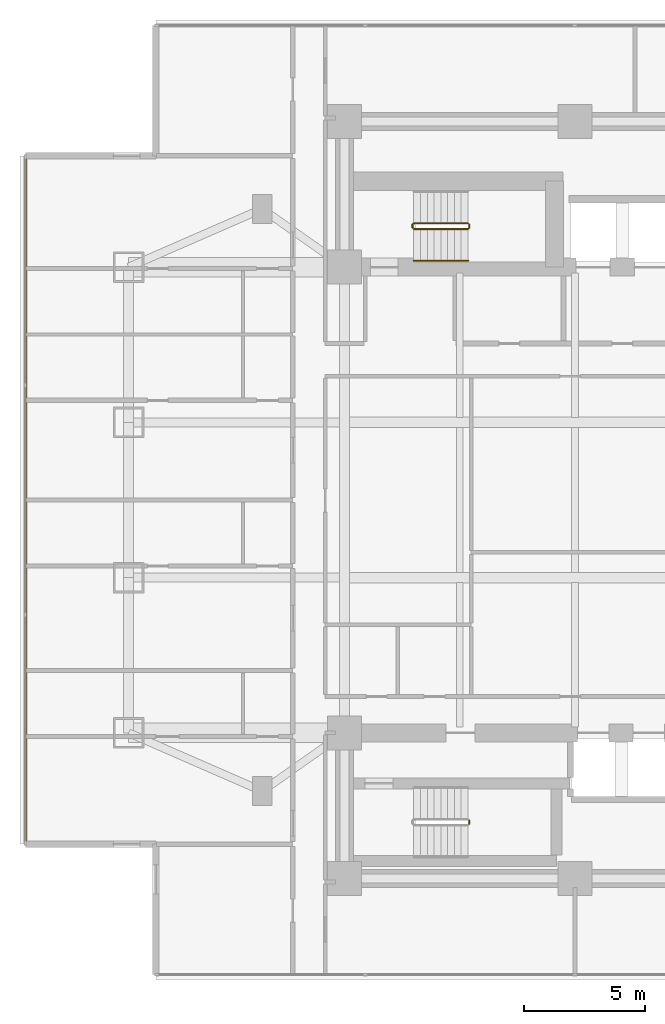
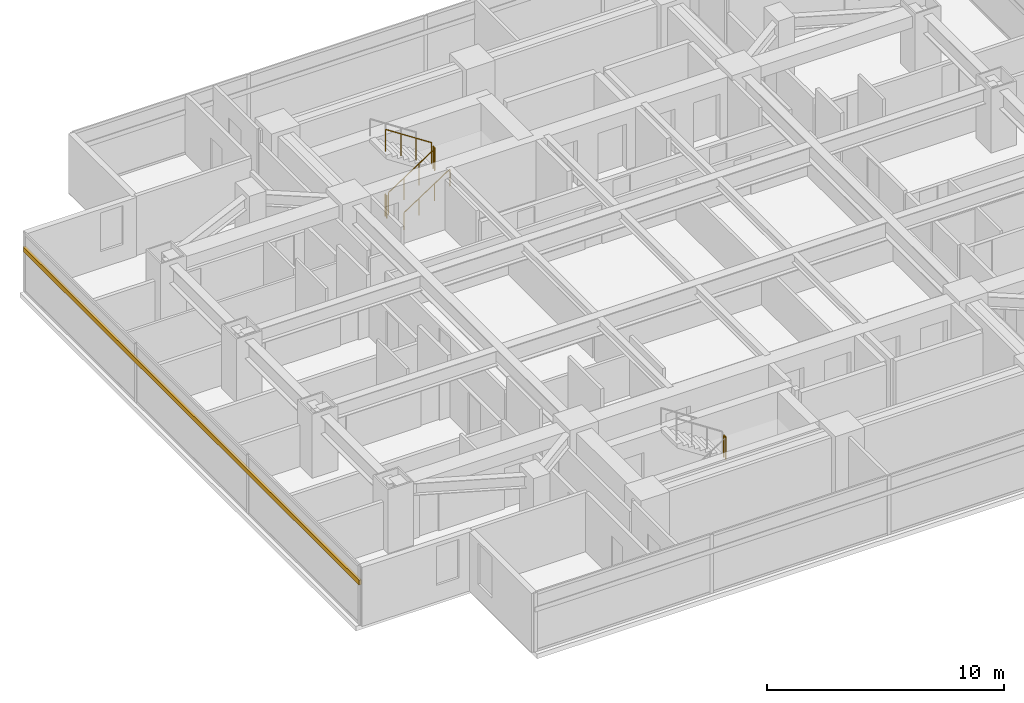
# One storey, part 24 of 27: 6 railings, 1 shading device.
"""IFC4 building model written with IfcOpenShell, lengths in metres."""

from ifc_helpers import new_model, si_unit, direction, frame, origin, origin_2d, place, context, subcontext, project, spatial, rectangle, circle, extrude, material, material_profile, profile_set, type_object, element, save


model = new_model("IFC4")

# Units and contexts
model_context = context("Model", 3, precision=1e-05, world=origin(), true_north=direction((0.0, 1.0)))
body_context = subcontext(model_context, "Body", "Model", "MODEL_VIEW")
ifc_project = project(units=[si_unit("LENGTHUNIT", "METRE"), si_unit("AREAUNIT", "SQUARE_METRE"), si_unit("VOLUMEUNIT", "CUBIC_METRE"), si_unit("PLANEANGLEUNIT", "RADIAN"), si_unit("MASSUNIT", "GRAM", prefix="KILO")], contexts=[model_context])

# Site, building, storey
site_placement = place(None, origin())
site = spatial("IfcSite", under=ifc_project, at=site_placement, CompositionType="ELEMENT")
building_placement = place(site_placement, origin())
building = spatial("IfcBuilding", under=site, at=building_placement, Name="Mirazonda Arch Towers", CompositionType="ELEMENT")
storey_placement = place(building_placement, frame((0.0, 0.0, 42.199951171875)))
storey = spatial("IfcBuildingStorey", under=building, at=storey_placement, Name="L11", CompositionType="ELEMENT", Elevation=42.199951171875)

# Shading device
ifc_material_1 = material(Name="Kiln-Fired Architectural Terracotta", Category="masonry")
ifc_material_profile = material_profile(ifc_material_1, rectangle(XDim=0.1201171875, YDim=0.239990234375, at=origin_2d()), Name="TERRA-BAG-120x240")
ifc_profile_set = profile_set([ifc_material_profile], Name="Kiln-Fired Architectural Terracotta")
shading_device_type = type_object("IfcShadingDeviceType", Name="BAGUETTE-1", PredefinedType="USERDEFINED", material=ifc_profile_set)
shading_device_placement = place(storey_placement, frame((-2.159912109375, 42.18798828125, 2.18896484375), z_axis=(0.0, -1.0, 0.0), x_axis=(1.0, 0.0, 0.0)))
element("IfcShadingDevice", 1, at=shading_device_placement, inside=storey, type_object=shading_device_type, Name="L11 Glazed Terracotta Sun-Screen Baguette CW-L11-T1-W", ObjectType="BAGUETTE", PredefinedType="USERDEFINED", context=body_context, shape_type="SweptSolid", body=[
    extrude(rectangle(XDim=0.1201171875, YDim=0.239990234375, at=origin_2d()), origin(), (0.0, 0.0, 1.0), 28.3759765625),
])

# Railings
ifc_material_2 = material(Name="Architectural Brushed Steel S355", Category="steel")
railing_type_1 = type_object("IfcRailingType", Name="GUARD-STAIR-1120", PredefinedType="GUARDRAIL", material=ifc_material_2)
railing_1_placement = place(storey_placement, frame((13.85009765625, 39.169921875, 0.183349609375)))
element("IfcRailing", 2, at=railing_1_placement, inside=storey, type_object=railing_type_1, Name="L11 ST-T1N stair guard 1", PredefinedType="GUARDRAIL", context=body_context, shape_type="SweptSolid", body=[
    extrude(circle(Radius=0.02392578125, at=origin_2d()), frame((0.0, 0.0, 1.1259765625), z_axis=(0.836595146698, 0.0, 0.547821650285), x_axis=(0.0, 1.0, 0.0)), (0.0, 0.0, 1.0), 2.677490234375),
    extrude(circle(Radius=0.02099609375, at=origin_2d()), origin(), (0.0, 0.0, 1.0), 1.101806640625),
    extrude(circle(Radius=0.02099609375, at=origin_2d()), frame((0.74658203125, 0.0, 0.489013671875)), (0.0, 0.0, 1.0), 1.101806640625),
    extrude(circle(Radius=0.02099609375, at=origin_2d()), frame((1.493408203125, 0.0, 0.977783203125)), (0.0, 0.0, 1.0), 1.101806640625),
    extrude(circle(Radius=0.02099609375, at=origin_2d()), frame((2.239990234375, 0.0, 1.466796875)), (0.0, 0.0, 1.0), 1.101806640625),
])
railing_2_placement = place(storey_placement, frame((16.139892578125, 39.219970703125, 1.650146484375)))
element("IfcRailing", 3, at=railing_2_placement, inside=storey, type_object=railing_type_1, Name="L11 ST-T1N stair guard 2", PredefinedType="GUARDRAIL", context=body_context, shape_type="SweptSolid", body=[
    extrude(circle(Radius=0.02392578125, at=origin_2d()), frame((0.0, 0.0, 1.1259765625), z_axis=(0.0, 1.0, 0.0), x_axis=(-1.0, 0.0, 0.0)), (0.0, 0.0, 1.0), 0.14013671875),
    extrude(circle(Radius=0.02099609375, at=origin_2d()), origin(), (0.0, 0.0, 1.0), 1.101806640625),
    extrude(circle(Radius=0.02099609375, at=origin_2d()), frame((0.0, 0.14013671875, 0.0)), (0.0, 0.0, 1.0), 1.101806640625),
])
railing_3_placement = place(storey_placement, frame((16.090087890625, 39.409912109375, 1.83349609375)))
element("IfcRailing", 4, at=railing_3_placement, inside=storey, type_object=railing_type_1, Name="L11 ST-T1N stair guard 3", PredefinedType="GUARDRAIL", context=body_context, shape_type="SweptSolid", body=[
    extrude(circle(Radius=0.02392578125, at=origin_2d()), frame((0.0, 0.0, 1.1259765625), z_axis=(-0.836636935527, 0.0, 0.547757827979), x_axis=(0.0, -1.0, 0.0)), (0.0, 0.0, 1.0), 2.677490234375),
    extrude(circle(Radius=0.02099609375, at=origin_2d()), origin(), (0.0, 0.0, 1.0), 1.101806640625),
    extrude(circle(Radius=0.02099609375, at=origin_2d()), frame((-0.74658203125, 0.0, 0.48876953125)), (0.0, 0.0, 1.0), 1.101806640625),
    extrude(circle(Radius=0.02099609375, at=origin_2d()), frame((-1.493408203125, 0.0, 0.977783203125)), (0.0, 0.0, 1.0), 1.101806640625),
    extrude(circle(Radius=0.02099609375, at=origin_2d()), frame((-2.239990234375, 0.0, 1.466552734375)), (0.0, 0.0, 1.0), 1.101806640625),
])
for number, where, name in (
    (5, (13.800048828125, 39.219970703125, 0.0), "L11 ST-T1N stair guard 4"),
    (6, (16.139892578125, 14.64990234375, 1.650146484375), "L11 ST-T1S stair guard 2"),
):
    element("IfcRailing", number, at=place(storey_placement, frame(where)), inside=storey, type_object=railing_type_1, Name=name, PredefinedType="GUARDRAIL", context=body_context, shape_type="SweptSolid", body=[
        extrude(circle(Radius=0.02392578125, at=origin_2d()), frame((0.0, 0.0, 1.1259765625), z_axis=(0.0, 1.0, 0.0), x_axis=(-1.0, 0.0, 0.0)), (0.0, 0.0, 1.0), 0.14013671875),
        extrude(circle(Radius=0.02099609375, at=origin_2d()), origin(), (0.0, 0.0, 1.0), 1.101806640625),
        extrude(circle(Radius=0.02099609375, at=origin_2d()), frame((0.0, 0.14013671875, 0.0)), (0.0, 0.0, 1.0), 1.101806640625),
    ])
railing_type_2 = type_object("IfcRailingType", Name="HANDRAIL-915", PredefinedType="HANDRAIL", material=ifc_material_2)
railing_4_placement = place(storey_placement, frame((13.85009765625, 37.8701171875, 0.183349609375)))
element("IfcRailing", 7, at=railing_4_placement, inside=storey, type_object=railing_type_2, Name="L11 ST-T1N stair handrail 1", PredefinedType="HANDRAIL", context=body_context, shape_type="SweptSolid", body=[
    extrude(circle(Radius=0.02392578125, at=origin_2d()), frame((0.0, 0.0, 0.8759765625), z_axis=(0.836595146698, 0.0, 0.547821650285), x_axis=(0.0, 1.0, 0.0)), (0.0, 0.0, 1.0), 2.677490234375),
    extrude(circle(Radius=0.02099609375, at=origin_2d()), origin(), (0.0, 0.0, 1.0), 0.851806640625),
    extrude(circle(Radius=0.02099609375, at=origin_2d()), frame((0.74658203125, 0.0, 0.489013671875)), (0.0, 0.0, 1.0), 0.851806640625),
    extrude(circle(Radius=0.02099609375, at=origin_2d()), frame((1.493408203125, 0.0, 0.977783203125)), (0.0, 0.0, 1.0), 0.851806640625),
    extrude(circle(Radius=0.02099609375, at=origin_2d()), frame((2.239990234375, 0.0, 1.466796875)), (0.0, 0.0, 1.0), 0.851806640625),
])

save(model, "model.ifc")
